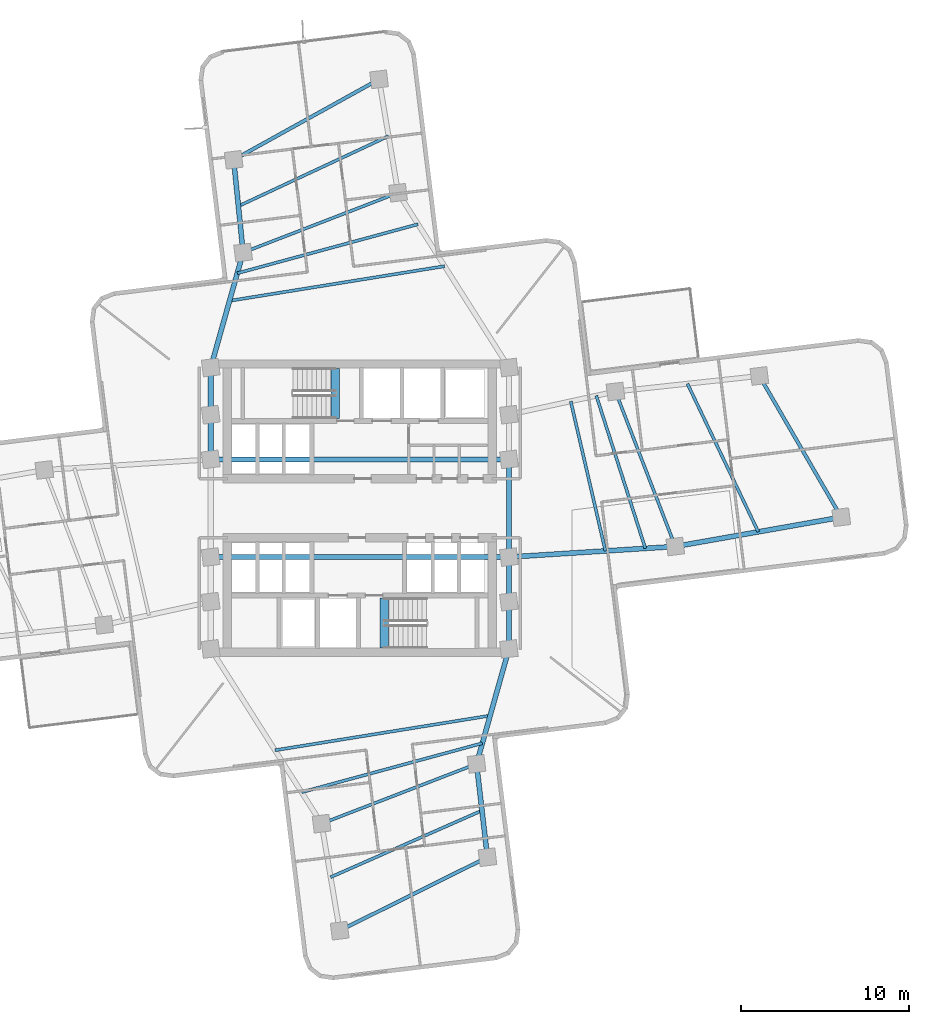
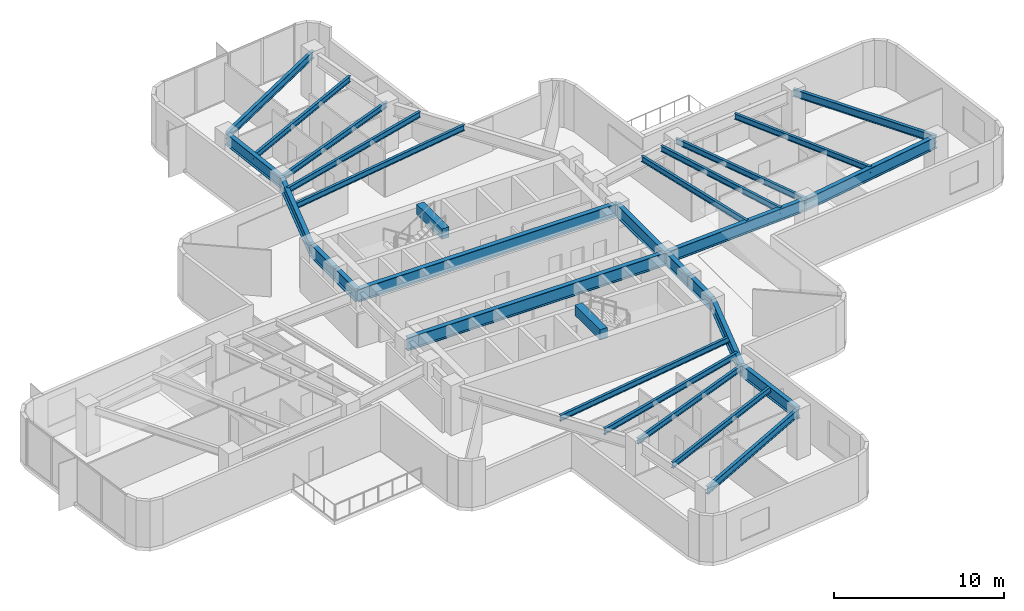
# One storey, part 3 of 13: 30 beams.
"""IFC4 building model written with IfcOpenShell, lengths in metres."""

from ifc_helpers import new_model, si_unit, direction, frame, origin, origin_2d, place, context, subcontext, project, spatial, rectangle, i_section, extrude, material, material_profile, profile_set, type_object, element, save


model = new_model("IFC4")

# Units and contexts
model_context = context("Model", 3, precision=1e-05, world=origin(), true_north=direction((0.0, 1.0)))
body_context = subcontext(model_context, "Body", "Model", "MODEL_VIEW")
ifc_project = project(units=[si_unit("LENGTHUNIT", "METRE"), si_unit("AREAUNIT", "SQUARE_METRE"), si_unit("VOLUMEUNIT", "CUBIC_METRE"), si_unit("PLANEANGLEUNIT", "RADIAN"), si_unit("MASSUNIT", "GRAM", prefix="KILO")], contexts=[model_context])

# Site, building, storey
site_placement = place(None, origin())
site = spatial("IfcSite", under=ifc_project, at=site_placement, CompositionType="ELEMENT")
building_placement = place(site_placement, origin())
building = spatial("IfcBuilding", under=site, at=building_placement, Name="Solmarez Civic Tower", CompositionType="ELEMENT")
storey_placement = place(building_placement, frame((0.0, 0.0, 82.080078125)))
storey = spatial("IfcBuildingStorey", under=building, at=storey_placement, Name="L21", CompositionType="ELEMENT", Elevation=82.080078125)

# Beams
ifc_material_1 = material(Name="Steel S355", Category="steel")
ifc_material_profile_1 = material_profile(ifc_material_1, i_section(OverallWidth=0.178955078125, OverallDepth=0.409912109375, WebThickness=0.0087890625, FlangeThickness=0.014404296875, at=origin_2d()), Name="W16X45")
ifc_profile_set_1 = profile_set([ifc_material_profile_1], Name="Steel S355")
beam_type_1 = type_object("IfcBeamType", Name="BM-JS-W16X45", PredefinedType="JOIST", material=ifc_profile_set_1)
beam_1_placement = place(storey_placement, frame((18.72412109375, -2.27099609375, 3.135009765625), z_axis=(-0.359984466214, 0.932958297077, 0.0), x_axis=(-0.932958297077, -0.359984466214, 0.0)))
element("IfcBeam", 1, at=beam_1_placement, inside=storey, type_object=beam_type_1, Name="L21 Secondary Floor Joist BM-L21-EA-T1", PredefinedType="JOIST", context=body_context, shape_type="SweptSolid", body=[
    extrude(i_section(OverallWidth=0.178955078125, OverallDepth=0.409912109375, WebThickness=0.0087890625, FlangeThickness=0.014404296875, at=origin_2d()), origin(), (0.0, 0.0, 1.0), 9.85888671875),
])
beam_2_placement = place(storey_placement, frame((23.64990234375, -1.402099609375, 3.135009765625), z_axis=(-0.431491843414, 0.902116837814, 0.0), x_axis=(-0.902116837814, -0.431491843414, 0.0)))
element("IfcBeam", 2, at=beam_2_placement, inside=storey, type_object=beam_type_1, Name="L21 Secondary Floor Joist JS-L21-EA-M2", PredefinedType="JOIST", context=body_context, shape_type="SweptSolid", body=[
    extrude(i_section(OverallWidth=0.178955078125, OverallDepth=0.409912109375, WebThickness=0.0087890625, FlangeThickness=0.014404296875, at=origin_2d()), origin(), (0.0, 0.0, 1.0), 9.744873046875),
])
beam_3_placement = place(storey_placement, frame((14.576904296875, -2.534912109375, 3.135009765625), z_axis=(-0.225762717226, 0.974182321494, 0.0), x_axis=(-0.974182321494, -0.225762717226, 0.0)))
element("IfcBeam", 3, at=beam_3_placement, inside=storey, type_object=beam_type_1, Name="L21 Secondary Floor Joist JS-L21-EA-M11", PredefinedType="JOIST", context=body_context, shape_type="SweptSolid", body=[
    extrude(i_section(OverallWidth=0.178955078125, OverallDepth=0.409912109375, WebThickness=0.0087890625, FlangeThickness=0.014404296875, at=origin_2d()), origin(), (0.0, 0.0, 1.0), 9.119384765625),
])
beam_4_placement = place(storey_placement, frame((16.947021484375, -2.384033203125, 3.135009765625), z_axis=(-0.305705295997, 0.952126184914, 0.0), x_axis=(-0.952126184914, -0.305705295997, 0.0)))
element("IfcBeam", 4, at=beam_4_placement, inside=storey, type_object=beam_type_1, Name="L21 Secondary Floor Joist JS-L21-EA-M12", PredefinedType="JOIST", context=body_context, shape_type="SweptSolid", body=[
    extrude(i_section(OverallWidth=0.178955078125, OverallDepth=0.409912109375, WebThickness=0.0087890625, FlangeThickness=0.014404296875, at=origin_2d()), origin(), (0.0, 0.0, 1.0), 9.518798828125),
])
beam_5_placement = place(storey_placement, frame((2.27099609375, 18.72412109375, 3.135009765625), z_axis=(-0.932958297077, -0.359984466214, 0.0), x_axis=(0.359984466214, -0.932958297077, 0.0)))
element("IfcBeam", 5, at=beam_5_placement, inside=storey, type_object=beam_type_1, Name="L21 Secondary Floor Joist BM-L21-NA-T1", PredefinedType="JOIST", context=body_context, shape_type="SweptSolid", body=[
    extrude(i_section(OverallWidth=0.178955078125, OverallDepth=0.409912109375, WebThickness=0.0087890625, FlangeThickness=0.014404296875, at=origin_2d()), origin(), (0.0, 0.0, 1.0), 9.85888671875),
])
beam_6_placement = place(storey_placement, frame((1.705078125, 22.090087890625, 3.135009765625), z_axis=(-0.906041066986, -0.423189774138, 0.0), x_axis=(0.423189774138, -0.906041066986, 0.0)))
element("IfcBeam", 6, at=beam_6_placement, inside=storey, type_object=beam_type_1, Name="L21 Secondary Floor Joist JS-L21-NA-M2", PredefinedType="JOIST", context=body_context, shape_type="SweptSolid", body=[
    extrude(i_section(OverallWidth=0.178955078125, OverallDepth=0.409912109375, WebThickness=0.0087890625, FlangeThickness=0.014404296875, at=origin_2d()), origin(), (0.0, 0.0, 1.0), 9.83740234375),
])
beam_7_placement = place(storey_placement, frame((5.033935546875, 14.366943359375, 3.135009765625), z_axis=(-0.987261309887, -0.159107215423, 0.0), x_axis=(0.159107215423, -0.987261309887, 0.0)))
element("IfcBeam", 7, at=beam_7_placement, inside=storey, type_object=beam_type_1, Name="L21 Secondary Floor Joist JS-L21-NA-M11", PredefinedType="JOIST", context=body_context, shape_type="SweptSolid", body=[
    extrude(i_section(OverallWidth=0.178955078125, OverallDepth=0.409912109375, WebThickness=0.0087890625, FlangeThickness=0.014404296875, at=origin_2d()), origin(), (0.0, 0.0, 1.0), 12.933837890625),
])
beam_8_placement = place(storey_placement, frame((3.455078125, 16.85693359375, 3.135009765625), z_axis=(-0.965126314795, -0.261784637614, 0.0), x_axis=(0.261784637614, -0.965126314795, 0.0)))
element("IfcBeam", 8, at=beam_8_placement, inside=storey, type_object=beam_type_1, Name="L21 Secondary Floor Joist JS-L21-NA-M12", PredefinedType="JOIST", context=body_context, shape_type="SweptSolid", body=[
    extrude(i_section(OverallWidth=0.178955078125, OverallDepth=0.409912109375, WebThickness=0.0087890625, FlangeThickness=0.014404296875, at=origin_2d()), origin(), (0.0, 0.0, 1.0), 11.11572265625),
])
beam_9_placement = place(storey_placement, frame((-2.27099609375, -18.72412109375, 3.135009765625), z_axis=(0.932958297077, 0.359984466214, 0.0), x_axis=(-0.359984466214, 0.932958297077, 0.0)))
element("IfcBeam", 9, at=beam_9_placement, inside=storey, type_object=beam_type_1, Name="L21 Secondary Floor Joist BM-L21-SA-T1", PredefinedType="JOIST", context=body_context, shape_type="SweptSolid", body=[
    extrude(i_section(OverallWidth=0.178955078125, OverallDepth=0.409912109375, WebThickness=0.0087890625, FlangeThickness=0.014404296875, at=origin_2d()), origin(), (0.0, 0.0, 1.0), 9.85888671875),
])
beam_10_placement = place(storey_placement, frame((-1.73291015625, -21.89892578125, 3.135009765625), z_axis=(0.915226616427, 0.402939499905, 0.0), x_axis=(-0.402939499905, 0.915226616427, 0.0)))
element("IfcBeam", 10, at=beam_10_placement, inside=storey, type_object=beam_type_1, Name="L21 Secondary Floor Joist JS-L21-SA-M2", PredefinedType="JOIST", context=body_context, shape_type="SweptSolid", body=[
    extrude(i_section(OverallWidth=0.178955078125, OverallDepth=0.409912109375, WebThickness=0.0087890625, FlangeThickness=0.014404296875, at=origin_2d()), origin(), (0.0, 0.0, 1.0), 9.81494140625),
])
beam_11_placement = place(storey_placement, frame((-5.033935546875, -14.366943359375, 3.135009765625), z_axis=(0.987261309887, 0.159107215423, 0.0), x_axis=(-0.159107215423, 0.987261309887, 0.0)))
element("IfcBeam", 11, at=beam_11_placement, inside=storey, type_object=beam_type_1, Name="L21 Secondary Floor Joist JS-L21-SA-M11", PredefinedType="JOIST", context=body_context, shape_type="SweptSolid", body=[
    extrude(i_section(OverallWidth=0.178955078125, OverallDepth=0.409912109375, WebThickness=0.0087890625, FlangeThickness=0.014404296875, at=origin_2d()), origin(), (0.0, 0.0, 1.0), 12.933837890625),
])
beam_12_placement = place(storey_placement, frame((-3.455078125, -16.85693359375, 3.135009765625), z_axis=(0.965126314795, 0.261784637614, 0.0), x_axis=(-0.261784637614, 0.965126314795, 0.0)))
element("IfcBeam", 12, at=beam_12_placement, inside=storey, type_object=beam_type_1, Name="L21 Secondary Floor Joist JS-L21-SA-M12", PredefinedType="JOIST", context=body_context, shape_type="SweptSolid", body=[
    extrude(i_section(OverallWidth=0.178955078125, OverallDepth=0.409912109375, WebThickness=0.0087890625, FlangeThickness=0.014404296875, at=origin_2d()), origin(), (0.0, 0.0, 1.0), 11.11572265625),
])
ifc_material_2 = material(Name="Concrete C50/60", Category="concrete")
ifc_material_profile_2 = material_profile(ifc_material_2, rectangle(XDim=0.5, YDim=0.75, at=origin_2d()), Name="RC500X750")
ifc_profile_set_2 = profile_set([ifc_material_profile_2], Name="Concrete C50/60")
beam_type_2 = type_object("IfcBeamType", Name="BM-PR-RC500X750", PredefinedType="BEAM", material=ifc_profile_set_2)
for number, where, z_axis, x_axis, name in (
    (13, (-1.449951171875, 5.340087890625, 3.23291015625), (0.0, 1.0, 0.0), (-1.0, 0.0, 0.0), "L21 North Stair Threshold Beam"),
    (14, (1.449951171875, -8.300048828125, 3.23291015625), (0.0, 1.0, 0.0), (-1.0, 0.0, 0.0), "L21 South Stair Threshold Beam"),
):
    element("IfcBeam", number, at=place(storey_placement, frame(where, z_axis=z_axis, x_axis=x_axis)), inside=storey, type_object=beam_type_2, Name=name, PredefinedType="BEAM", context=body_context, shape_type="SweptSolid", body=[
        extrude(rectangle(XDim=0.5, YDim=0.75, at=origin_2d()), origin(), (0.0, 0.0, 1.0), 2.9599609375),
    ])
ifc_material_profile_3 = material_profile(ifc_material_1, i_section(OverallWidth=0.2919921875, OverallDepth=0.845947265625, WebThickness=0.015380859375, FlangeThickness=0.0244140625, at=origin_2d()), Name="W33X141")
ifc_profile_set_3 = profile_set([ifc_material_profile_3], Name="Steel S355")
beam_type_3 = type_object("IfcBeamType", Name="BM-PR-W33X141", PredefinedType="BEAM", material=ifc_profile_set_3)
beam_13_placement = place(storey_placement, frame((8.85009765625, -2.89990234375, 2.9169921875), z_axis=(0.997977751208, 0.063564204508, 0.0), x_axis=(-0.063564204508, 0.997977751208, 0.0)))
element("IfcBeam", 15, at=beam_13_placement, inside=storey, type_object=beam_type_3, Name="L21 Primary Floor Beam BM-L21-EA-R1A", PredefinedType="BEAM", context=body_context, shape_type="SweptSolid", body=[
    extrude(i_section(OverallWidth=0.2919921875, OverallDepth=0.845947265625, WebThickness=0.015380859375, FlangeThickness=0.0244140625, at=origin_2d()), origin(), (0.0, 0.0, 1.0), 9.89404296875),
])
beam_14_placement = place(storey_placement, frame((18.72412109375, -2.27099609375, 2.9169921875), z_axis=(0.984792402105, 0.173735214497, 0.0), x_axis=(-0.173735214497, 0.984792402105, 0.0)))
element("IfcBeam", 16, at=beam_14_placement, inside=storey, type_object=beam_type_3, Name="L21 Primary Floor Beam BM-L21-EA-R2A", PredefinedType="BEAM", context=body_context, shape_type="SweptSolid", body=[
    extrude(i_section(OverallWidth=0.2919921875, OverallDepth=0.845947265625, WebThickness=0.015380859375, FlangeThickness=0.0244140625, at=origin_2d()), origin(), (0.0, 0.0, 1.0), 10.00390625),
])
beam_15_placement = place(storey_placement, frame((-8.85009765625, 8.35009765625, 2.9169921875), z_axis=(0.271213183726, 0.962519303169, 0.0), x_axis=(-0.962519303169, 0.271213183726, 0.0)))
element("IfcBeam", 17, at=beam_15_placement, inside=storey, type_object=beam_type_3, Name="L21 Primary Floor Beam BM-L21-NA-R1B", PredefinedType="BEAM", context=body_context, shape_type="SweptSolid", body=[
    extrude(i_section(OverallWidth=0.2919921875, OverallDepth=0.845947265625, WebThickness=0.015380859375, FlangeThickness=0.0244140625, at=origin_2d()), origin(), (0.0, 0.0, 1.0), 7.0908203125),
])
beam_16_placement = place(storey_placement, frame((-6.927001953125, 15.175048828125, 2.9169921875), z_axis=(-0.101583208843, 0.994827046115, 0.0), x_axis=(-0.994827046115, -0.101583208843, 0.0)))
element("IfcBeam", 18, at=beam_16_placement, inside=storey, type_object=beam_type_3, Name="L21 Primary Floor Beam BM-L21-NA-R2B", PredefinedType="BEAM", context=body_context, shape_type="SweptSolid", body=[
    extrude(i_section(OverallWidth=0.2919921875, OverallDepth=0.845947265625, WebThickness=0.015380859375, FlangeThickness=0.0244140625, at=origin_2d()), origin(), (0.0, 0.0, 1.0), 5.532470703125),
])
beam_17_placement = place(storey_placement, frame((8.85009765625, -8.35009765625, 2.9169921875), z_axis=(-0.271213183726, -0.962519303169, 0.0), x_axis=(0.962519303169, -0.271213183726, 0.0)))
element("IfcBeam", 19, at=beam_17_placement, inside=storey, type_object=beam_type_3, Name="L21 Primary Floor Beam BM-L21-SA-R1B", PredefinedType="BEAM", context=body_context, shape_type="SweptSolid", body=[
    extrude(i_section(OverallWidth=0.2919921875, OverallDepth=0.845947265625, WebThickness=0.015380859375, FlangeThickness=0.0244140625, at=origin_2d()), origin(), (0.0, 0.0, 1.0), 7.0908203125),
])
beam_18_placement = place(storey_placement, frame((6.927001953125, -15.175048828125, 2.9169921875), z_axis=(0.11601314993, -0.993247677593, 0.0), x_axis=(0.993247677593, 0.11601314993, 0.0)))
element("IfcBeam", 20, at=beam_18_placement, inside=storey, type_object=beam_type_3, Name="L21 Primary Floor Beam BM-L21-SA-R2B", PredefinedType="BEAM", context=body_context, shape_type="SweptSolid", body=[
    extrude(i_section(OverallWidth=0.2919921875, OverallDepth=0.845947265625, WebThickness=0.015380859375, FlangeThickness=0.0244140625, at=origin_2d()), origin(), (0.0, 0.0, 1.0), 5.57666015625),
])
ifc_material_profile_4 = material_profile(ifc_material_1, i_section(OverallWidth=0.306884765625, OverallDepth=0.927001953125, WebThickness=0.019287109375, FlangeThickness=0.031982421875, at=origin_2d()), Name="W36X194")
ifc_profile_set_4 = profile_set([ifc_material_profile_4], Name="Steel S355")
beam_type_4 = type_object("IfcBeamType", Name="BM-PR-W36X194", PredefinedType="BEAM", material=ifc_profile_set_4)
beam_19_placement = place(storey_placement, frame((-8.85009765625, 2.89990234375, 2.876953125), z_axis=(0.0, 1.0, 0.0), x_axis=(-1.0, 0.0, 0.0)))
element("IfcBeam", 21, at=beam_19_placement, inside=storey, type_object=beam_type_4, Name="L21 Primary Floor Beam BM-L21-HC3-HC4", PredefinedType="BEAM", context=body_context, shape_type="SweptSolid", body=[
    extrude(i_section(OverallWidth=0.306884765625, OverallDepth=0.927001953125, WebThickness=0.019287109375, FlangeThickness=0.031982421875, at=origin_2d()), origin(), (0.0, 0.0, 1.0), 2.650146484375),
])
for number, where, z_axis, x_axis, name in (
    (22, (-8.85009765625, 5.550048828125, 2.876953125), (0.0, 1.0, 0.0), (-1.0, 0.0, 0.0), "L21 Primary Floor Beam BM-L21-HC4-HC9"),
    (23, (8.85009765625, -8.35009765625, 2.876953125), (0.0, 1.0, 0.0), (-1.0, 0.0, 0.0), "L21 Primary Floor Beam BM-L21-HC10-HC5"),
):
    element("IfcBeam", number, at=place(storey_placement, frame(where, z_axis=z_axis, x_axis=x_axis)), inside=storey, type_object=beam_type_4, Name=name, PredefinedType="BEAM", context=body_context, shape_type="SweptSolid", body=[
        extrude(i_section(OverallWidth=0.306884765625, OverallDepth=0.927001953125, WebThickness=0.019287109375, FlangeThickness=0.031982421875, at=origin_2d()), origin(), (0.0, 0.0, 1.0), 2.800048828125),
    ])
beam_20_placement = place(storey_placement, frame((8.85009765625, -5.550048828125, 2.876953125), z_axis=(0.0, 1.0, 0.0), x_axis=(-1.0, 0.0, 0.0)))
element("IfcBeam", 24, at=beam_20_placement, inside=storey, type_object=beam_type_4, Name="L21 Primary Floor Beam BM-L21-HC5-HC6", PredefinedType="BEAM", context=body_context, shape_type="SweptSolid", body=[
    extrude(i_section(OverallWidth=0.306884765625, OverallDepth=0.927001953125, WebThickness=0.019287109375, FlangeThickness=0.031982421875, at=origin_2d()), origin(), (0.0, 0.0, 1.0), 2.650146484375),
])
beam_21_placement = place(storey_placement, frame((8.85009765625, -2.89990234375, 2.876953125), z_axis=(0.0, 1.0, 0.0), x_axis=(-1.0, 0.0, 0.0)))
element("IfcBeam", 25, at=beam_21_placement, inside=storey, type_object=beam_type_4, Name="L21 Primary Floor Beam BM-L21-HC6-HC7", PredefinedType="BEAM", context=body_context, shape_type="SweptSolid", body=[
    extrude(i_section(OverallWidth=0.306884765625, OverallDepth=0.927001953125, WebThickness=0.019287109375, FlangeThickness=0.031982421875, at=origin_2d()), origin(), (0.0, 0.0, 1.0), 5.7998046875),
])
for number, where, z_axis, x_axis, name in (
    (26, (-8.85009765625, -2.89990234375, 2.876953125), (1.0, 0.0, 0.0), (0.0, 1.0, 0.0), "L21 Primary Floor Beam BM-L21-HC2-HC6"),
    (27, (-8.85009765625, 2.89990234375, 2.876953125), (1.0, 0.0, 0.0), (0.0, 1.0, 0.0), "L21 Primary Floor Beam BM-L21-HC3-HC7"),
):
    element("IfcBeam", number, at=place(storey_placement, frame(where, z_axis=z_axis, x_axis=x_axis)), inside=storey, type_object=beam_type_4, Name=name, PredefinedType="BEAM", context=body_context, shape_type="SweptSolid", body=[
        extrude(i_section(OverallWidth=0.306884765625, OverallDepth=0.927001953125, WebThickness=0.019287109375, FlangeThickness=0.031982421875, at=origin_2d()), origin(), (0.0, 0.0, 1.0), 17.7001953125),
    ])
ifc_material_profile_5 = material_profile(ifc_material_1, i_section(OverallWidth=0.2109375, OverallDepth=0.5390625, WebThickness=0.01171875, FlangeThickness=0.018798828125, at=origin_2d()), Name="W21X73")
ifc_profile_set_5 = profile_set([ifc_material_profile_5], Name="Steel S355")
beam_type_5 = type_object("IfcBeamType", Name="BM-SP-W21X73", PredefinedType="SPANDREL", material=ifc_profile_set_5)
beam_22_placement = place(storey_placement, frame((28.575927734375, -0.532958984375, 3.07080078125), z_axis=(-0.501571424933, 0.865116238254, 0.0), x_axis=(-0.865116238254, -0.501571424933, 0.0)))
element("IfcBeam", 28, at=beam_22_placement, inside=storey, type_object=beam_type_5, Name="L21 Perimeter Spandrel Beam BM-L21-EA-T2", PredefinedType="SPANDREL", context=body_context, shape_type="SweptSolid", body=[
    extrude(i_section(OverallWidth=0.2109375, OverallDepth=0.5390625, WebThickness=0.01171875, FlangeThickness=0.018798828125, at=origin_2d()), origin(), (0.0, 0.0, 1.0), 9.691162109375),
])
beam_23_placement = place(storey_placement, frame((1.138916015625, 25.45703125, 3.07080078125), z_axis=(-0.874811531682, -0.484463398035, 0.0), x_axis=(0.484463398035, -0.874811531682, 0.0)))
element("IfcBeam", 29, at=beam_23_placement, inside=storey, type_object=beam_type_5, Name="L21 Perimeter Spandrel Beam BM-L21-NA-T2", PredefinedType="SPANDREL", context=body_context, shape_type="SweptSolid", body=[
    extrude(i_section(OverallWidth=0.2109375, OverallDepth=0.5390625, WebThickness=0.01171875, FlangeThickness=0.018798828125, at=origin_2d()), origin(), (0.0, 0.0, 1.0), 9.862548828125),
])
beam_24_placement = place(storey_placement, frame((-1.195068359375, -25.073974609375, 3.07080078125), z_axis=(0.895432090654, 0.445198125589, 0.0), x_axis=(-0.445198125589, 0.895432090654, 0.0)))
element("IfcBeam", 30, at=beam_24_placement, inside=storey, type_object=beam_type_5, Name="L21 Perimeter Spandrel Beam BM-L21-SA-T2", PredefinedType="SPANDREL", context=body_context, shape_type="SweptSolid", body=[
    extrude(i_section(OverallWidth=0.2109375, OverallDepth=0.5390625, WebThickness=0.01171875, FlangeThickness=0.018798828125, at=origin_2d()), origin(), (0.0, 0.0, 1.0), 9.79296875),
])

save(model, "model.ifc")
